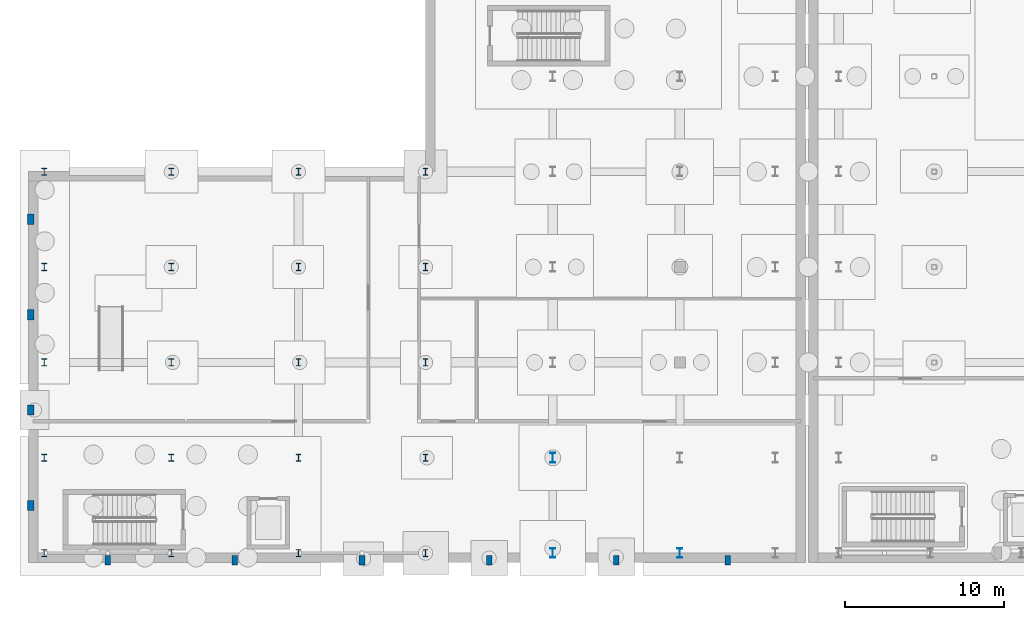
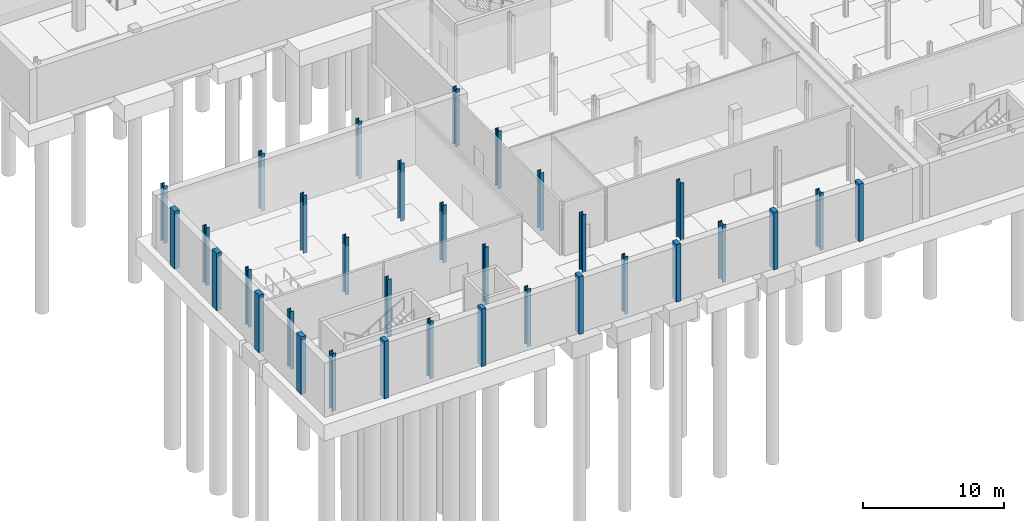
# One storey, part 6 of 47: 33 columns.
"""IFC4 building model written with IfcOpenShell, lengths in metres."""

from ifc_helpers import new_model, si_unit, direction, frame, origin, origin_2d, place, context, subcontext, project, spatial, rectangle, i_section, extrude, material, material_profile, profile_set, type_object, element, save


model = new_model("IFC4")

# Units and contexts
model_context = context("Model", 3, precision=1e-05, world=origin(), true_north=direction((0.0, 1.0)))
body_context = subcontext(model_context, "Body", "Model", "MODEL_VIEW")
ifc_project = project(units=[si_unit("LENGTHUNIT", "METRE"), si_unit("AREAUNIT", "SQUARE_METRE"), si_unit("VOLUMEUNIT", "CUBIC_METRE"), si_unit("PLANEANGLEUNIT", "RADIAN"), si_unit("MASSUNIT", "GRAM", prefix="KILO")], contexts=[model_context])

# Site, building, storey
site_placement = place(None, origin())
site = spatial("IfcSite", under=ifc_project, at=site_placement, CompositionType="ELEMENT")
building_placement = place(site_placement, origin())
building = spatial("IfcBuilding", under=site, at=building_placement, Name="Cymarion Research Institute", CompositionType="ELEMENT")
storey_placement = place(building_placement, frame((0.0, 0.0, -5.0)))
storey = spatial("IfcBuildingStorey", under=building, at=storey_placement, Name="B1", CompositionType="ELEMENT", Elevation=-5.0)

# Columns
ifc_material_1 = material(Name="Concrete C40/50", Category="concrete")
ifc_material_profile_1 = material_profile(ifc_material_1, rectangle(XDim=0.35009765625, YDim=0.60009765625, at=origin_2d()), Name="RC 350x600")
ifc_profile_set_1 = profile_set([ifc_material_profile_1], Name="Concrete C40/50")
column_type_1 = type_object("IfcColumnType", Name="CONCRETE PILASTER PL01 RC 350x600", PredefinedType="PILASTER", material=ifc_profile_set_1)
for number, where, z_axis, x_axis, name in (
    (1, (10.60009765625, 5.050048828125, 0.0), (0.0, 0.0, 1.0), (1.0, 0.0, 0.0), "B1 V3 column PL01 #20"),
    (2, (18.60009765625, 5.050048828125, 0.0), (0.0, 0.0, 1.0), (1.0, 0.0, 0.0), "B1 V3 column PL01 #35"),
    (3, (26.60009765625, 5.050048828125, 0.0), (0.0, 0.0, 1.0), (1.0, 0.0, 0.0), "B1 V3 column PL01 #51"),
    (4, (34.60009765625, 5.050048828125, 0.0), (0.0, 0.0, 1.0), (1.0, 0.0, 0.0), "B1 V3 column PL01 #67"),
    (5, (42.60009765625, 5.050048828125, 0.0), (0.0, 0.0, 1.0), (1.0, 0.0, 0.0), "B1 V3 column PL01 #89"),
    (6, (49.60009765625, 5.050048828125, 0.0), (0.0, 0.0, 1.0), (1.0, 0.0, 0.0), "B1 V3 column PL01 #108"),
):
    element("IfcColumn", number, at=place(storey_placement, frame(where, z_axis=z_axis, x_axis=x_axis)), inside=storey, type_object=column_type_1, Name=name, PredefinedType="PILASTER", context=body_context, shape_type="SweptSolid", body=[
        extrude(rectangle(XDim=0.35009765625, YDim=0.60009765625, at=origin_2d()), origin(), (0.0, 0.0, 1.0), 5.0),
    ])
ifc_material_profile_2 = material_profile(ifc_material_1, rectangle(XDim=0.39990234375, YDim=0.64990234375, at=origin_2d()), Name="RC 400x650")
ifc_profile_set_2 = profile_set([ifc_material_profile_2], Name="Concrete C40/50")
column_type_2 = type_object("IfcColumnType", Name="CONCRETE PILASTER PL02 RC 400x650", PredefinedType="PILASTER", material=ifc_profile_set_2)
for number, where, z_axis, x_axis, name in (
    (7, (5.75, 8.5, 0.0), (0.0, 0.0, 1.0), (1.0, 0.0, 0.0), "B1 V3 column PL02 #1"),
    (8, (5.75, 14.5, 0.0), (0.0, 0.0, 1.0), (1.0, 0.0, 0.0), "B1 V3 column PL02 #2"),
    (9, (5.75, 20.5, 0.0), (0.0, 0.0, 1.0), (1.0, 0.0, 0.0), "B1 V3 column PL02 #3"),
    (10, (5.75, 26.5, 0.0), (0.0, 0.0, 1.0), (1.0, 0.0, 0.0), "B1 V3 column PL02 #4"),
):
    element("IfcColumn", number, at=place(storey_placement, frame(where, z_axis=z_axis, x_axis=x_axis)), inside=storey, type_object=column_type_2, Name=name, PredefinedType="PILASTER", context=body_context, shape_type="SweptSolid", body=[
        extrude(rectangle(XDim=0.39990234375, YDim=0.64990234375, at=origin_2d()), origin(), (0.0, 0.0, 1.0), 5.0),
    ])
ifc_material_2 = material(Name="Steel S355", Category="steel")
ifc_material_profile_3 = material_profile(ifc_material_2, i_section(OverallWidth=0.300048828125, OverallDepth=0.60009765625, WebThickness=0.015380859375, FlangeThickness=0.030029296875, FilletRadius=0.027099609375, at=origin_2d()), Name="HEB 600")
ifc_profile_set_3 = profile_set([ifc_material_profile_3], Name="Steel S355")
column_type_3 = type_object("IfcColumnType", Name="STRUCTURAL COLUMN C02 HEB 600", PredefinedType="COLUMN", material=ifc_profile_set_3)
for number, where, z_axis, x_axis, name in (
    (11, (38.60009765625, 5.5, 0.0), (0.0, 0.0, 1.0), (1.0, 0.0, 0.0), "B1 V3 column C02 #71"),
    (12, (38.60009765625, 11.5, 0.0), (0.0, 0.0, 1.0), (1.0, 0.0, 0.0), "B1 V3 column C02 #72"),
    (13, (46.60009765625, 5.5, 0.0), (0.0, 0.0, 1.0), (1.0, 0.0, 0.0), "B1 V3 column C02 #93"),
):
    element("IfcColumn", number, at=place(storey_placement, frame(where, z_axis=z_axis, x_axis=x_axis)), inside=storey, type_object=column_type_3, Name=name, PredefinedType="COLUMN", context=body_context, shape_type="SweptSolid", body=[
        extrude(i_section(OverallWidth=0.300048828125, OverallDepth=0.60009765625, WebThickness=0.015380859375, FlangeThickness=0.030029296875, FilletRadius=0.027099609375, at=origin_2d()), origin(), (0.0, 0.0, 1.0), 5.0),
    ])
ifc_material_profile_4 = material_profile(ifc_material_2, i_section(OverallWidth=0.300048828125, OverallDepth=0.449951171875, WebThickness=0.013916015625, FlangeThickness=0.02587890625, FilletRadius=0.027099609375, at=origin_2d()), Name="HEB 450")
ifc_profile_set_4 = profile_set([ifc_material_profile_4], Name="Steel S355")
column_type_4 = type_object("IfcColumnType", Name="STRUCTURAL COLUMN C05 HEB 450", PredefinedType="COLUMN", material=ifc_profile_set_4)
for number, where, z_axis, x_axis, name in (
    (14, (6.60009765625, 5.5, 0.0), (0.0, 0.0, 1.0), (1.0, 0.0, 0.0), "B1 V3 column C05 #5"),
    (15, (6.60009765625, 11.5, 0.0), (0.0, 0.0, 1.0), (1.0, 0.0, 0.0), "B1 V3 column C05 #6"),
    (16, (6.60009765625, 17.5, 0.0), (0.0, 0.0, 1.0), (1.0, 0.0, 0.0), "B1 V3 column C05 #7"),
    (17, (6.60009765625, 23.5, 0.0), (0.0, 0.0, 1.0), (1.0, 0.0, 0.0), "B1 V3 column C05 #8"),
    (18, (6.60009765625, 29.5, 0.0), (0.0, 0.0, 1.0), (1.0, 0.0, 0.0), "B1 V3 column C05 #9"),
    (19, (14.60009765625, 5.5, 0.0), (0.0, 0.0, 1.0), (1.0, 0.0, 0.0), "B1 V3 column C05 #21"),
    (20, (14.60009765625, 11.5, 0.0), (0.0, 0.0, 1.0), (1.0, 0.0, 0.0), "B1 V3 column C05 #22"),
    (21, (14.60009765625, 17.5, 0.0), (0.0, 0.0, 1.0), (1.0, 0.0, 0.0), "B1 V3 column C05 #23"),
    (22, (14.60009765625, 23.5, 0.0), (0.0, 0.0, 1.0), (1.0, 0.0, 0.0), "B1 V3 column C05 #24"),
    (23, (14.60009765625, 29.5, 0.0), (0.0, 0.0, 1.0), (1.0, 0.0, 0.0), "B1 V3 column C05 #25"),
    (24, (22.60009765625, 5.5, 0.0), (0.0, 0.0, 1.0), (1.0, 0.0, 0.0), "B1 V3 column C05 #36"),
    (25, (22.60009765625, 11.5, 0.0), (0.0, 0.0, 1.0), (1.0, 0.0, 0.0), "B1 V3 column C05 #37"),
    (26, (22.60009765625, 17.5, 0.0), (0.0, 0.0, 1.0), (1.0, 0.0, 0.0), "B1 V3 column C05 #38"),
    (27, (22.60009765625, 23.5, 0.0), (0.0, 0.0, 1.0), (1.0, 0.0, 0.0), "B1 V3 column C05 #39"),
    (28, (22.60009765625, 29.5, 0.0), (0.0, 0.0, 1.0), (1.0, 0.0, 0.0), "B1 V3 column C05 #40"),
    (29, (30.60009765625, 5.5, 0.0), (0.0, 0.0, 1.0), (1.0, 0.0, 0.0), "B1 V3 column C05 #52"),
    (30, (30.60009765625, 11.5, 0.0), (0.0, 0.0, 1.0), (1.0, 0.0, 0.0), "B1 V3 column C05 #53"),
    (31, (30.60009765625, 17.5, 0.0), (0.0, 0.0, 1.0), (1.0, 0.0, 0.0), "B1 V3 column C05 #54"),
    (32, (30.60009765625, 23.5, 0.0), (0.0, 0.0, 1.0), (1.0, 0.0, 0.0), "B1 V3 column C05 #55"),
    (33, (30.60009765625, 29.5, 0.0), (0.0, 0.0, 1.0), (1.0, 0.0, 0.0), "B1 V3 column C05 #56"),
):
    element("IfcColumn", number, at=place(storey_placement, frame(where, z_axis=z_axis, x_axis=x_axis)), inside=storey, type_object=column_type_4, Name=name, PredefinedType="COLUMN", context=body_context, shape_type="SweptSolid", body=[
        extrude(i_section(OverallWidth=0.300048828125, OverallDepth=0.449951171875, WebThickness=0.013916015625, FlangeThickness=0.02587890625, FilletRadius=0.027099609375, at=origin_2d()), origin(), (0.0, 0.0, 1.0), 5.0),
    ])

save(model, "model.ifc")
